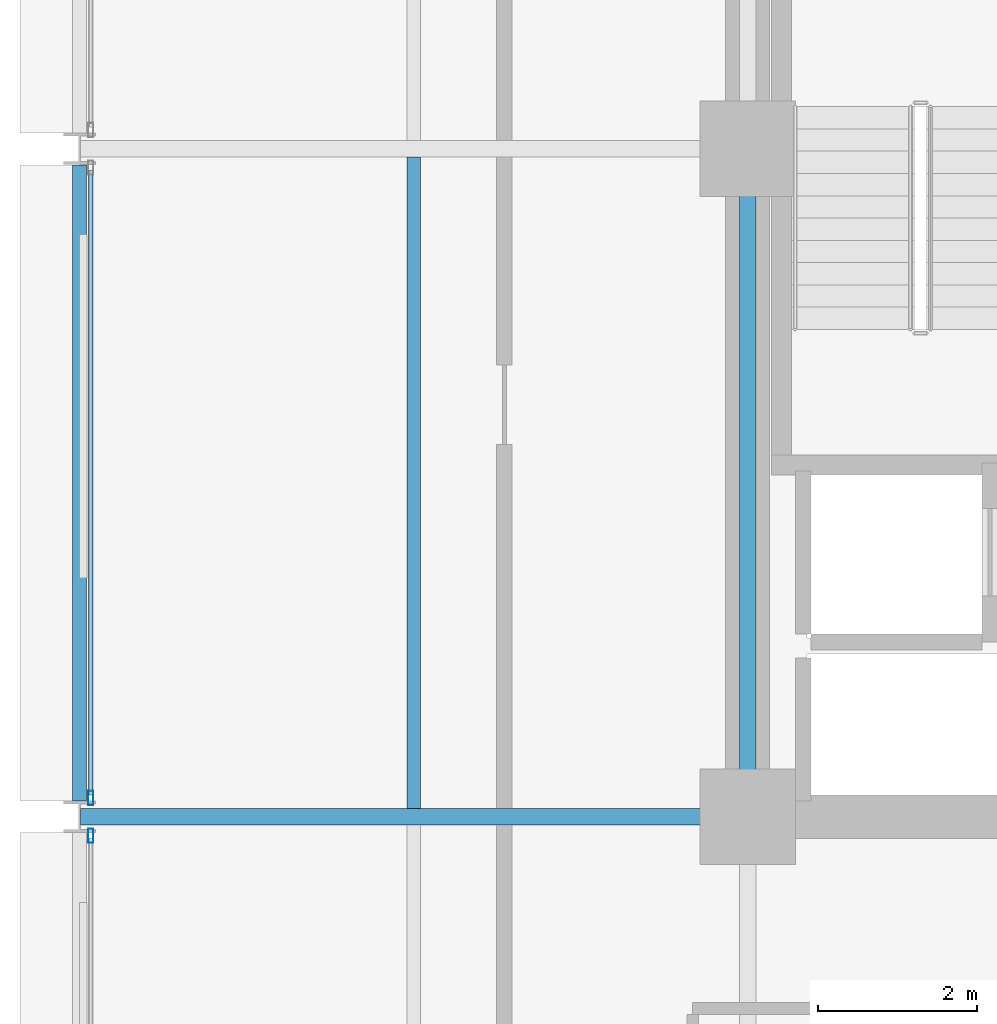
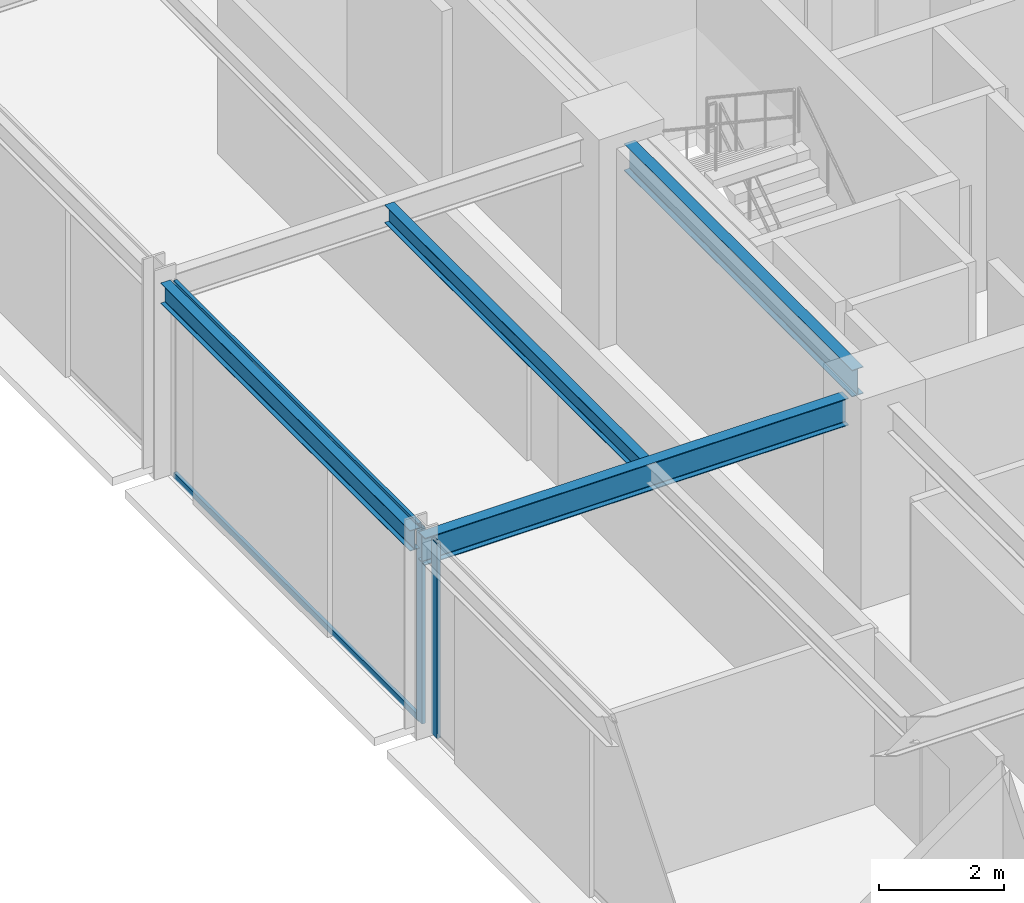
# One storey, part 10 of 30: 4 beams, 4 members, 2 elements without a shape of their own.
"""IFC4 building model written with IfcOpenShell, lengths in metres."""

from ifc_helpers import new_model, si_unit, direction, frame, origin, origin_2d, place, context, subcontext, project, spatial, hollow_rectangle, i_section, extrude, material, layer, layer_set, material_profile, profile_set, type_object, element, aggregate, save


model = new_model("IFC4")

# Units and contexts
model_context = context("Model", 3, precision=1e-05, world=origin(), true_north=direction((0.0, 1.0)))
body_context = subcontext(model_context, "Body", "Model", "MODEL_VIEW")
ifc_project = project(units=[si_unit("LENGTHUNIT", "METRE"), si_unit("AREAUNIT", "SQUARE_METRE"), si_unit("VOLUMEUNIT", "CUBIC_METRE"), si_unit("PLANEANGLEUNIT", "RADIAN"), si_unit("MASSUNIT", "GRAM", prefix="KILO")], contexts=[model_context])

# Site, building, storey
site_placement = place(None, origin())
site = spatial("IfcSite", under=ifc_project, at=site_placement, CompositionType="ELEMENT")
building_placement = place(site_placement, origin())
building = spatial("IfcBuilding", under=site, at=building_placement, Name="Nerrivon Quay Data Exchange", CompositionType="ELEMENT")
storey_placement = place(building_placement, frame((0.0, 0.0, 141.800048828125)))
storey = spatial("IfcBuildingStorey", under=building, at=storey_placement, Name="L33", CompositionType="ELEMENT", Elevation=141.800048828125)

# Beams
ifc_material_1 = material(Name="Steel Grade 350", Category="steel")
ifc_material_profile_1 = material_profile(ifc_material_1, i_section(OverallWidth=0.208984375, OverallDepth=0.532958984375, WebThickness=0.01025390625, FlangeThickness=0.015625, FilletRadius=0.013916015625, at=origin_2d()), Name="530UB92.4")
ifc_profile_set_1 = profile_set([ifc_material_profile_1], Name="Steel Grade 350")
beam_type_1 = type_object("IfcBeamType", Name="BM-G3-530UB92", PredefinedType="BEAM", material=ifc_profile_set_1)
beam_1_placement = place(storey_placement, frame((0.012451171875, 25.199951171875, 3.558349609375), z_axis=(1.0, 0.0, 0.0), x_axis=(0.0, 1.0, 0.0)))
element("IfcBeam", 1, at=beam_1_placement, inside=storey, type_object=beam_type_1, Name="L33 EW Girder Y=25.2 (0.0..8.4)", PredefinedType="BEAM", context=body_context, shape_type="SweptSolid", body=[
    extrude(i_section(OverallWidth=0.208984375, OverallDepth=0.532958984375, WebThickness=0.01025390625, FlangeThickness=0.015625, FilletRadius=0.013916015625, at=origin_2d()), origin(), (0.0, 0.0, 1.0), 7.84765625),
])
ifc_material_profile_2 = material_profile(ifc_material_1, i_section(OverallWidth=0.208984375, OverallDepth=0.528076171875, WebThickness=0.009521484375, FlangeThickness=0.01318359375, FilletRadius=0.013916015625, at=origin_2d()), Name="530UB82.0")
ifc_profile_set_2 = profile_set([ifc_material_profile_2], Name="Steel Grade 350")
beam_type_2 = type_object("IfcBeamType", Name="BM-G4-530UB82", PredefinedType="BEAM", material=ifc_profile_set_2)
beam_2_placement = place(storey_placement, frame((8.39990234375, 25.739990234375, 3.56103515625), z_axis=(0.0, 1.0, 0.0), x_axis=(-1.0, 0.0, 0.0)))
element("IfcBeam", 2, at=beam_2_placement, inside=storey, type_object=beam_type_2, Name="L33 NS Girder X=8.4 (25.2..33.6)", PredefinedType="BEAM", context=body_context, shape_type="SweptSolid", body=[
    extrude(i_section(OverallWidth=0.208984375, OverallDepth=0.528076171875, WebThickness=0.009521484375, FlangeThickness=0.01318359375, FilletRadius=0.013916015625, at=origin_2d()), origin(), (0.0, 0.0, 1.0), 7.320068359375),
])
ifc_material_profile_3 = material_profile(ifc_material_1, i_section(OverallWidth=0.1708984375, OverallDepth=0.35595703125, WebThickness=0.00732421875, FlangeThickness=0.011474609375, FilletRadius=0.011474609375, at=origin_2d()), Name="360UB50.7")
ifc_profile_set_3 = profile_set([ifc_material_profile_3], Name="Steel Grade 350")
beam_type_3 = type_object("IfcBeamType", Name="BM-J4-360UB51", PredefinedType="JOIST", material=ifc_profile_set_3)
beam_3_placement = place(storey_placement, frame((4.199951171875, 25.304443359375, 3.64697265625), z_axis=(0.0, 1.0, 0.0), x_axis=(-1.0, 0.0, 0.0)))
element("IfcBeam", 3, at=beam_3_placement, inside=storey, type_object=beam_type_3, Name="L33 Secondary Joist X=4.2 (25.2..33.6)", PredefinedType="JOIST", context=body_context, shape_type="SweptSolid", body=[
    extrude(i_section(OverallWidth=0.1708984375, OverallDepth=0.35595703125, WebThickness=0.00732421875, FlangeThickness=0.011474609375, FilletRadius=0.011474609375, at=origin_2d()), origin(), (0.0, 0.0, 1.0), 8.191162109375),
])
ifc_material_profile_4 = material_profile(ifc_material_1, i_section(OverallWidth=0.177978515625, OverallDepth=0.403076171875, WebThickness=0.007568359375, FlangeThickness=0.010986328125, FilletRadius=0.011474609375, at=origin_2d()), Name="410UB53.7")
ifc_profile_set_4 = profile_set([ifc_material_profile_4], Name="Steel Grade 350")
beam_type_4 = type_object("IfcBeamType", Name="BM-SP2-410UB54", PredefinedType="SPANDREL", material=ifc_profile_set_4)
beam_4_placement = place(storey_placement, frame((0.0, 25.39990234375, 3.62353515625), z_axis=(0.0, 1.0, 0.0), x_axis=(-1.0, 0.0, 0.0)))
element("IfcBeam", 4, at=beam_4_placement, inside=storey, type_object=beam_type_4, Name="L33 NS Girder X=0.0 (25.2..33.6)", PredefinedType="SPANDREL", context=body_context, shape_type="SweptSolid", body=[
    extrude(i_section(OverallWidth=0.177978515625, OverallDepth=0.403076171875, WebThickness=0.007568359375, FlangeThickness=0.010986328125, FilletRadius=0.011474609375, at=origin_2d()), origin(), (0.0, 0.0, 1.0), 8.0),
])

# Curtain wall, member
ifc_material_2 = material(Name="Anodised aluminium 6063-T6", Category="aluminium")
ifc_layer = layer(ifc_material_2, 0.2099609375)
ifc_layer_set = layer_set([ifc_layer], Name="Anodised aluminium 6063-T6")
curtain_wall_type = type_object("IfcCurtainWallType", Name="CW-SYS-02", PredefinedType="NOTDEFINED", material=ifc_layer_set)
curtain_wall_1_placement = place(storey_placement, origin())
curtain_wall_1 = element("IfcCurtainWall", 5, at=curtain_wall_1_placement, inside=storey, type_object=curtain_wall_type, Name="L33 Unitised Curtain Wall 13", PredefinedType="NOTDEFINED")
ifc_material_profile_5 = material_profile(ifc_material_2, hollow_rectangle(XDim=0.06494140625, YDim=0.179931640625, WallThickness=0.00341796875, at=origin_2d()), Name="ALU-MULL-180x65")
ifc_profile_set_5 = profile_set([ifc_material_profile_5], Name="Anodised aluminium 6063-T6")
member_type_1 = type_object("IfcMemberType", Name="CWM-180x65", PredefinedType="MULLION", material=ifc_profile_set_5)
member_1_placement = place(storey_placement, frame((0.139892578125, 24.96240234375, 0.0), z_axis=(0.0, 0.0, 1.0), x_axis=(-1.0, 0.0, 0.0)))
member_1 = element("IfcMember", 6, at=member_1_placement, type_object=member_type_1, Name="CW02 mullion 2", PredefinedType="MULLION", context=body_context, shape_type="SweptSolid", body=[
    extrude(hollow_rectangle(XDim=0.06494140625, YDim=0.179931640625, WallThickness=0.00341796875, at=origin_2d()), origin(), (0.0, 0.0, 1.0), 3.824951171875),
])
aggregate(curtain_wall_1, [member_1])

# Curtain wall, members
curtain_wall_2_placement = place(storey_placement, origin())
curtain_wall_2 = element("IfcCurtainWall", 7, at=curtain_wall_2_placement, inside=storey, type_object=curtain_wall_type, Name="L33 Unitised Curtain Wall 14", PredefinedType="NOTDEFINED")
member_2_placement = place(storey_placement, frame((0.139892578125, 25.4375, 0.0), z_axis=(0.0, 0.0, 1.0), x_axis=(-1.0, 0.0, 0.0)))
member_2 = element("IfcMember", 8, at=member_2_placement, type_object=member_type_1, Name="CW02 mullion 1", PredefinedType="MULLION", context=body_context, shape_type="SweptSolid", body=[
    extrude(hollow_rectangle(XDim=0.06494140625, YDim=0.179931640625, WallThickness=0.00341796875, at=origin_2d()), origin(), (0.0, 0.0, 1.0), 3.824951171875),
])
ifc_material_profile_6 = material_profile(ifc_material_2, hollow_rectangle(XDim=0.06005859375, YDim=0.1201171875, WallThickness=0.003173828125, at=origin_2d()), Name="ALU-TRAN-120x60")
ifc_profile_set_6 = profile_set([ifc_material_profile_6], Name="Anodised aluminium 6063-T6")
member_type_2 = type_object("IfcMemberType", Name="CWT-120x60", PredefinedType="USERDEFINED", material=ifc_profile_set_6)
member_3_placement = place(storey_placement, frame((0.139892578125, 25.47509765625, 0.032470703125), z_axis=(0.0, 1.0, 0.0), x_axis=(-1.0, 0.0, 0.0)))
member_3 = element("IfcMember", 9, at=member_3_placement, type_object=member_type_2, Name="CW02 transom 1.1", ObjectType="TRANSOM", PredefinedType="USERDEFINED", context=body_context, shape_type="SweptSolid", body=[
    extrude(hollow_rectangle(XDim=0.06005859375, YDim=0.1201171875, WallThickness=0.003173828125, at=origin_2d()), origin(), (0.0, 0.0, 1.0), 7.849853515625),
])
member_4_placement = place(storey_placement, frame((0.139892578125, 25.47509765625, 3.79248046875), z_axis=(0.0, 1.0, 0.0), x_axis=(-1.0, 0.0, 0.0)))
member_4 = element("IfcMember", 10, at=member_4_placement, type_object=member_type_2, Name="CW02 transom 1.2", ObjectType="TRANSOM", PredefinedType="USERDEFINED", context=body_context, shape_type="SweptSolid", body=[
    extrude(hollow_rectangle(XDim=0.06005859375, YDim=0.1201171875, WallThickness=0.003173828125, at=origin_2d()), origin(), (0.0, 0.0, 1.0), 7.849853515625),
])
aggregate(curtain_wall_2, [member_2, member_3, member_4])

save(model, "model.ifc")
